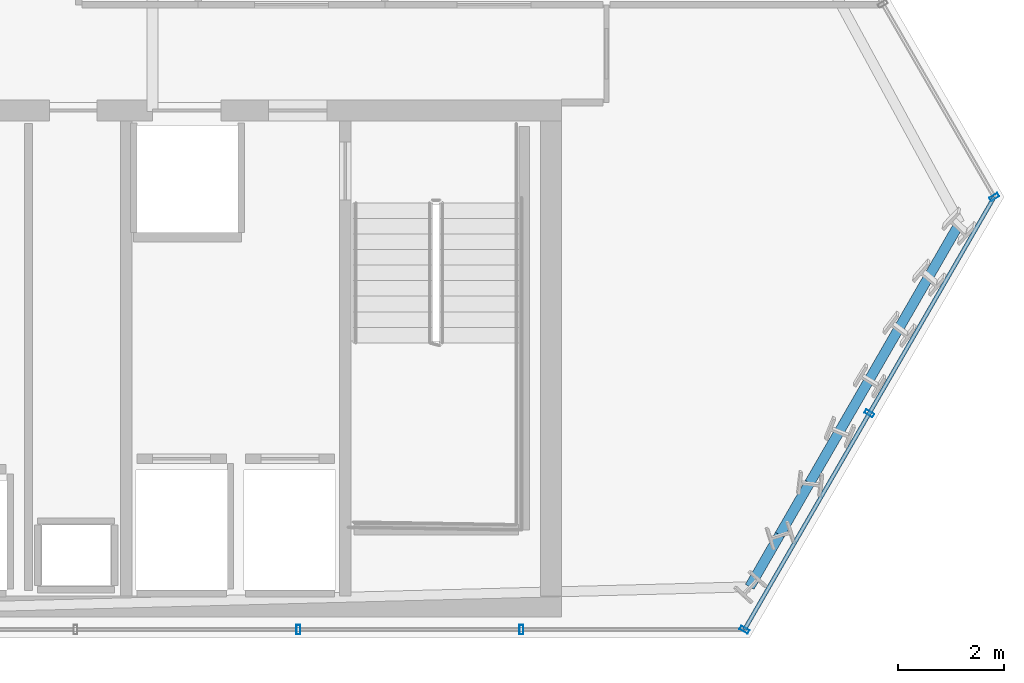
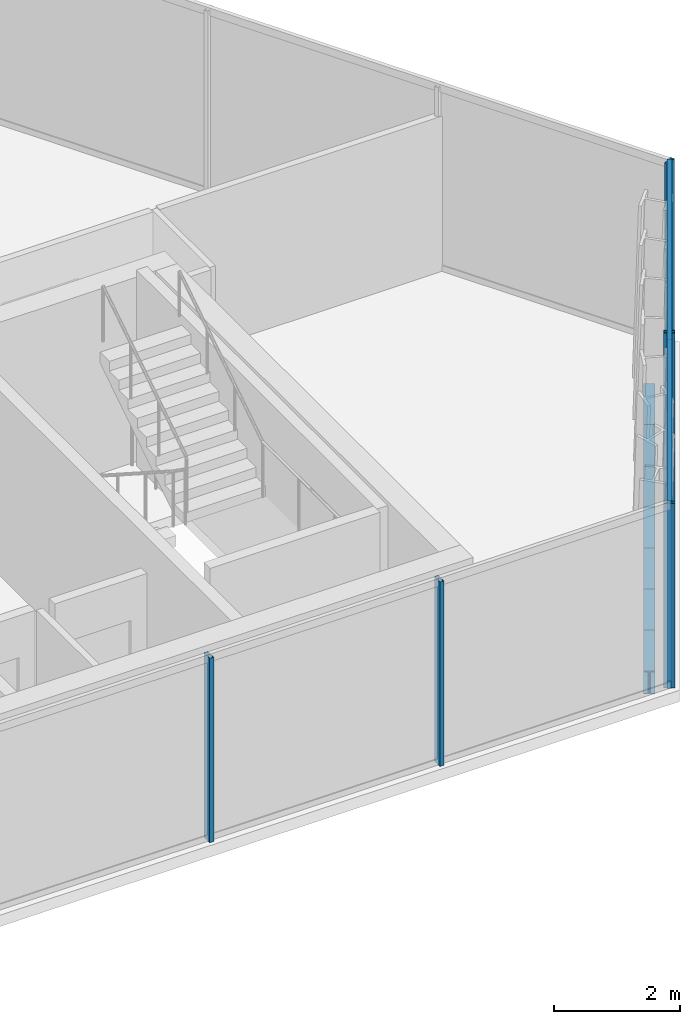
# One storey, part 14 of 33: 7 beams, 7 members, 3 elements without a shape of their own.
"""IFC4 building model written with IfcOpenShell, lengths in metres."""

from ifc_helpers import new_model, si_unit, direction, frame, origin, origin_2d, place, context, subcontext, project, spatial, hollow_rectangle, i_section, extrude, material, layer, layer_set, material_profile, profile_set, type_object, element, aggregate, save


model = new_model("IFC4")

# Units and contexts
model_context = context("Model", 3, precision=1e-05, world=origin(), true_north=direction((0.0, 1.0)))
body_context = subcontext(model_context, "Body", "Model", "MODEL_VIEW")
ifc_project = project(units=[si_unit("LENGTHUNIT", "METRE"), si_unit("AREAUNIT", "SQUARE_METRE"), si_unit("VOLUMEUNIT", "CUBIC_METRE"), si_unit("PLANEANGLEUNIT", "RADIAN"), si_unit("MASSUNIT", "GRAM", prefix="KILO")], contexts=[model_context])

# Site, building, storey
site_placement = place(None, origin())
site = spatial("IfcSite", under=ifc_project, at=site_placement, CompositionType="ELEMENT")
building_placement = place(site_placement, origin())
building = spatial("IfcBuilding", under=site, at=building_placement, Name="Ndaravel Arena Tower", CompositionType="ELEMENT")
storey_placement = place(building_placement, frame((0.0, 0.0, 187.800048828125)))
storey = spatial("IfcBuildingStorey", under=building, at=storey_placement, Name="L45", CompositionType="ELEMENT", Elevation=187.800048828125)

# Beams
ifc_material_1 = material(Name="Steel S355", Category="steel")
ifc_material_profile_1 = material_profile(ifc_material_1, i_section(OverallWidth=0.18994140625, OverallDepth=0.449951171875, WebThickness=0.009521484375, FlangeThickness=0.0146484375, FilletRadius=0.02099609375, at=origin_2d()), Name="IPE 450")
ifc_profile_set_1 = profile_set([ifc_material_profile_1], Name="Steel S355")
beam_type = type_object("IfcBeamType", Name="BM-SPAN-IPE450", PredefinedType="SPANDREL", material=ifc_profile_set_1)
beam_placement = place(storey_placement, frame((61.113525390625, 5.972412109375, -0.445068359375), z_axis=(0.499902065766, 0.866081938758, 0.0), x_axis=(-0.866081938758, 0.499902065766, 0.0)))
element("IfcBeam", 1, at=beam_placement, inside=storey, type_object=beam_type, Name="L45 Perimeter Spandrel Beam SP-02", PredefinedType="SPANDREL", context=body_context, shape_type="SweptSolid", body=[
    extrude(i_section(OverallWidth=0.18994140625, OverallDepth=0.449951171875, WebThickness=0.009521484375, FlangeThickness=0.0146484375, FilletRadius=0.02099609375, at=origin_2d()), origin(), (0.0, 0.0, 1.0), 1.137451171875),
])
for number, where, z_axis, x_axis, name in (
    (2, (61.68212890625, 6.95751953125, -0.445068359375), (0.499995010897, 0.866028284225, 0.0), (-0.866028284225, 0.499995010897, 0.0), "L45 Perimeter Spandrel Beam SP-03"),
    (3, (62.250732421875, 7.9423828125, -0.445068359375), (0.499995010897, 0.866028284225, 0.0), (-0.866028284225, 0.499995010897, 0.0), "L45 Perimeter Spandrel Beam SP-04"),
):
    element("IfcBeam", number, at=place(storey_placement, frame(where, z_axis=z_axis, x_axis=x_axis)), inside=storey, type_object=beam_type, Name=name, PredefinedType="SPANDREL", context=body_context, shape_type="SweptSolid", body=[
        extrude(i_section(OverallWidth=0.18994140625, OverallDepth=0.449951171875, WebThickness=0.009521484375, FlangeThickness=0.0146484375, FilletRadius=0.02099609375, at=origin_2d()), origin(), (0.0, 0.0, 1.0), 1.13720703125),
    ])
for number, where, z_axis, x_axis, name in (
    (4, (62.8193359375, 8.92724609375, -0.445068359375), (0.500155997749, 0.865935319707, 0.0), (-0.865935319707, 0.500155997749, 0.0), "L45 Perimeter Spandrel Beam SP-05"),
    (5, (63.38818359375, 9.912109375, -0.445068359375), (0.499902065766, 0.866081938758, 0.0), (-0.866081938758, 0.499902065766, 0.0), "L45 Perimeter Spandrel Beam SP-06"),
):
    element("IfcBeam", number, at=place(storey_placement, frame(where, z_axis=z_axis, x_axis=x_axis)), inside=storey, type_object=beam_type, Name=name, PredefinedType="SPANDREL", context=body_context, shape_type="SweptSolid", body=[
        extrude(i_section(OverallWidth=0.18994140625, OverallDepth=0.449951171875, WebThickness=0.009521484375, FlangeThickness=0.0146484375, FilletRadius=0.02099609375, at=origin_2d()), origin(), (0.0, 0.0, 1.0), 1.137451171875),
    ])
for number, where, z_axis, x_axis, name in (
    (6, (63.956787109375, 10.897216796875, -0.445068359375), (0.499995010897, 0.866028284225, 0.0), (-0.866028284225, 0.499995010897, 0.0), "L45 Perimeter Spandrel Beam SP-07"),
    (7, (64.525390625, 11.882080078125, -0.445068359375), (0.499995010897, 0.866028284225, 0.0), (-0.866028284225, 0.499995010897, 0.0), "L45 Perimeter Spandrel Beam SP-08"),
):
    element("IfcBeam", number, at=place(storey_placement, frame(where, z_axis=z_axis, x_axis=x_axis)), inside=storey, type_object=beam_type, Name=name, PredefinedType="SPANDREL", context=body_context, shape_type="SweptSolid", body=[
        extrude(i_section(OverallWidth=0.18994140625, OverallDepth=0.449951171875, WebThickness=0.009521484375, FlangeThickness=0.0146484375, FilletRadius=0.02099609375, at=origin_2d()), origin(), (0.0, 0.0, 1.0), 1.13720703125),
    ])

# Curtain wall, members
ifc_material_2 = material(Name="Aluminium", Category="aluminium")
ifc_layer_1 = layer(ifc_material_2, 0.179931640625)
ifc_layer_set_1 = layer_set([ifc_layer_1], Name="Aluminium")
curtain_wall_type_1 = type_object("IfcCurtainWallType", Name="CW-SYS-03", PredefinedType="NOTDEFINED", material=ifc_layer_set_1)
curtain_wall_1_placement = place(storey_placement, origin())
curtain_wall_1 = element("IfcCurtainWall", 8, at=curtain_wall_1_placement, inside=storey, type_object=curtain_wall_type_1, Name="L45 Faceted Crystal Curtain Wall CW-L45-E01", PredefinedType="NOTDEFINED")
ifc_material_3 = material(Name="Aluminium", Category="aluminium")
ifc_material_profile_2 = material_profile(ifc_material_3, hollow_rectangle(XDim=0.074951171875, YDim=0.179931640625, WallThickness=0.00390625, at=origin_2d()), Name="CW MULLION 75x180x4")
ifc_profile_set_2 = profile_set([ifc_material_profile_2], Name="Aluminium")
member_type_1 = type_object("IfcMemberType", Name="MEM-CW-MUL180", PredefinedType="MULLION", material=ifc_profile_set_2)
member_1_placement = place(storey_placement, frame((52.563232421875, 5.159912109375, 0.0), z_axis=(0.0, 0.0, 1.0), x_axis=(1.0, 0.0, 0.0)))
member_1 = element("IfcMember", 9, at=member_1_placement, type_object=member_type_1, Name="CW-L45-E01 Mullion 07", PredefinedType="MULLION", context=body_context, shape_type="SweptSolid", body=[
    extrude(hollow_rectangle(XDim=0.074951171875, YDim=0.179931640625, WallThickness=0.00390625, at=origin_2d()), origin(), (0.0, 0.0, 1.0), 3.579833984375),
])
member_2_placement = place(storey_placement, frame((56.78857421875, 5.159912109375, 0.0), z_axis=(0.0, 0.0, 1.0), x_axis=(1.0, 0.0, 0.0)))
member_2 = element("IfcMember", 10, at=member_2_placement, type_object=member_type_1, Name="CW-L45-E01 Mullion 08", PredefinedType="MULLION", context=body_context, shape_type="SweptSolid", body=[
    extrude(hollow_rectangle(XDim=0.074951171875, YDim=0.179931640625, WallThickness=0.00390625, at=origin_2d()), origin(), (0.0, 0.0, 1.0), 3.579833984375),
])
aggregate(curtain_wall_1, [member_1, member_2])

ifc_material_4 = material(Name="Aluminium", Category="aluminium")
ifc_layer_2 = layer(ifc_material_4, 0.179931640625)
ifc_layer_set_2 = layer_set([ifc_layer_2], Name="Aluminium")
curtain_wall_type_2 = type_object("IfcCurtainWallType", Name="CW-SYS-01", PredefinedType="NOTDEFINED", material=ifc_layer_set_2)
curtain_wall_2_placement = place(storey_placement, origin())
curtain_wall_2 = element("IfcCurtainWall", 11, at=curtain_wall_2_placement, inside=storey, type_object=curtain_wall_type_2, Name="L45 Faceted Crystal Curtain Wall CW-L45-E02", PredefinedType="NOTDEFINED")
member_3_placement = place(storey_placement, frame((61.013916015625, 5.159912109375, 0.0), z_axis=(0.0, 0.0, 1.0), x_axis=(0.5, 0.866025403784, 0.0)))
member_3 = element("IfcMember", 12, at=member_3_placement, type_object=member_type_1, Name="CW-L45-E02 Mullion 00", PredefinedType="MULLION", context=body_context, shape_type="SweptSolid", body=[
    extrude(hollow_rectangle(XDim=0.074951171875, YDim=0.179931640625, WallThickness=0.00390625, at=origin_2d()), origin(), (0.0, 0.0, 1.0), 3.579833984375),
])
member_4_placement = place(storey_placement, frame((63.380859375, 9.259765625, 0.0), z_axis=(0.0, 0.0, 1.0), x_axis=(0.5, 0.866025403784, 0.0)))
member_4 = element("IfcMember", 13, at=member_4_placement, type_object=member_type_1, Name="CW-L45-E02 Mullion 01", PredefinedType="MULLION", context=body_context, shape_type="SweptSolid", body=[
    extrude(hollow_rectangle(XDim=0.074951171875, YDim=0.179931640625, WallThickness=0.00390625, at=origin_2d()), origin(), (0.0, 0.0, 1.0), 3.579833984375),
])

# Curtain wall, member
curtain_wall_3_placement = place(storey_placement, origin())
curtain_wall_3 = element("IfcCurtainWall", 14, at=curtain_wall_3_placement, inside=storey, type_object=curtain_wall_type_1, Name="L45 Faceted Crystal Curtain Wall CW-L45-E03", PredefinedType="NOTDEFINED")
member_5_placement = place(storey_placement, frame((65.747802734375, 13.359375, 0.0), z_axis=(0.0, 0.0, 1.0), x_axis=(-0.5, 0.866025403784, 0.0)))
member_5 = element("IfcMember", 15, at=member_5_placement, type_object=member_type_1, Name="CW-L45-E03 Mullion 00", PredefinedType="MULLION", context=body_context, shape_type="SweptSolid", body=[
    extrude(hollow_rectangle(XDim=0.074951171875, YDim=0.179931640625, WallThickness=0.00390625, at=origin_2d()), origin(), (0.0, 0.0, 1.0), 3.579833984375),
])
aggregate(curtain_wall_3, [member_5])

# Member
ifc_material_5 = material(Name="Aluminium", Category="aluminium")
ifc_material_profile_3 = material_profile(ifc_material_5, hollow_rectangle(XDim=0.074951171875, YDim=0.14990234375, WallThickness=0.00390625, at=origin_2d()), Name="CW TRANSOM 75x150x4")
ifc_profile_set_3 = profile_set([ifc_material_profile_3], Name="Aluminium")
member_type_2 = type_object("IfcMemberType", Name="MEM-CW-TRN150", PredefinedType="USERDEFINED", material=ifc_profile_set_3)
member_6_placement = place(storey_placement, frame((61.013916015625, 5.159912109375, 0.0400390625), z_axis=(0.499994028088, 0.866028851642, 0.0), x_axis=(-0.866028851642, 0.499994028088, 0.0)))
member_6 = element("IfcMember", 16, at=member_6_placement, type_object=member_type_2, Name="CW-L45-E02 Transom 01", ObjectType="TRANSOM", PredefinedType="USERDEFINED", context=body_context, shape_type="SweptSolid", body=[
    extrude(hollow_rectangle(XDim=0.074951171875, YDim=0.14990234375, WallThickness=0.00390625, at=origin_2d()), origin(), (0.0, 0.0, 1.0), 9.4677734375),
])

member_7_placement = place(storey_placement, frame((61.013916015625, 5.159912109375, 3.5400390625), z_axis=(0.499994028088, 0.866028851642, 0.0), x_axis=(-0.866028851642, 0.499994028088, 0.0)))
member_7 = element("IfcMember", 17, at=member_7_placement, type_object=member_type_2, Name="CW-L45-E02 Transom 02", ObjectType="TRANSOM", PredefinedType="USERDEFINED", context=body_context, shape_type="SweptSolid", body=[
    extrude(hollow_rectangle(XDim=0.074951171875, YDim=0.14990234375, WallThickness=0.00390625, at=origin_2d()), origin(), (0.0, 0.0, 1.0), 9.4677734375),
])

aggregate(curtain_wall_2, [member_3, member_4, member_6, member_7])

save(model, "model.ifc")
